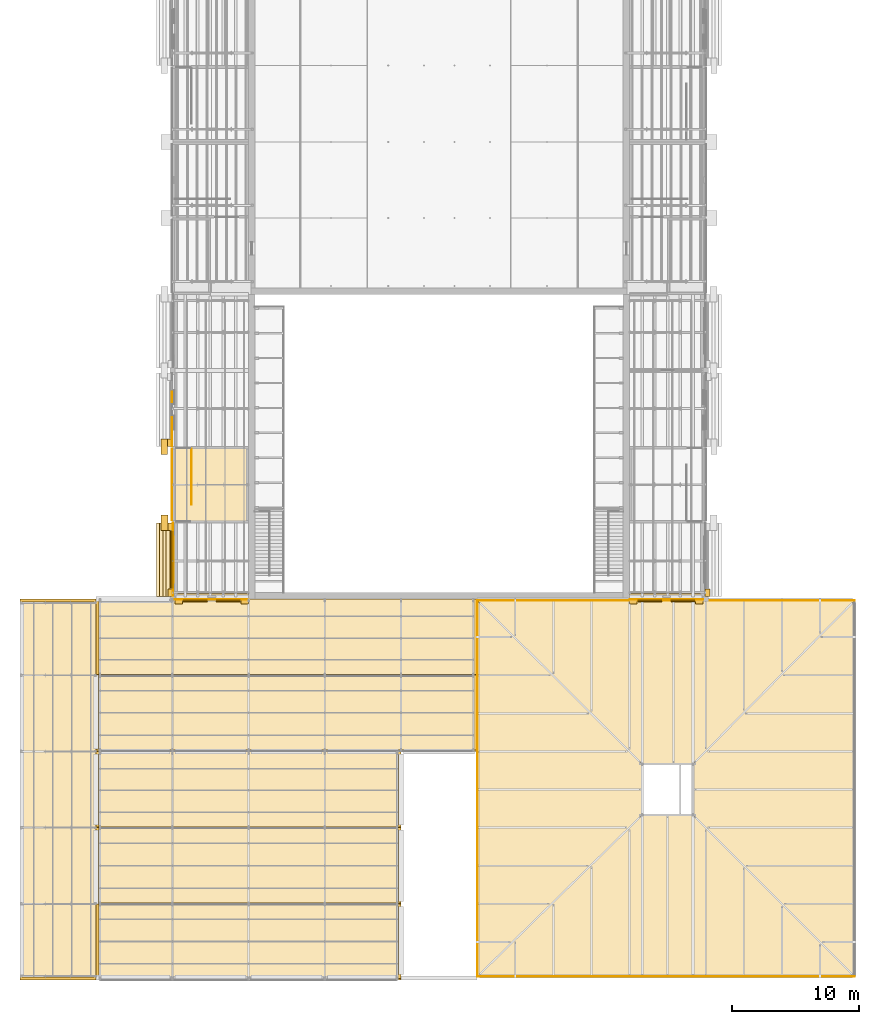
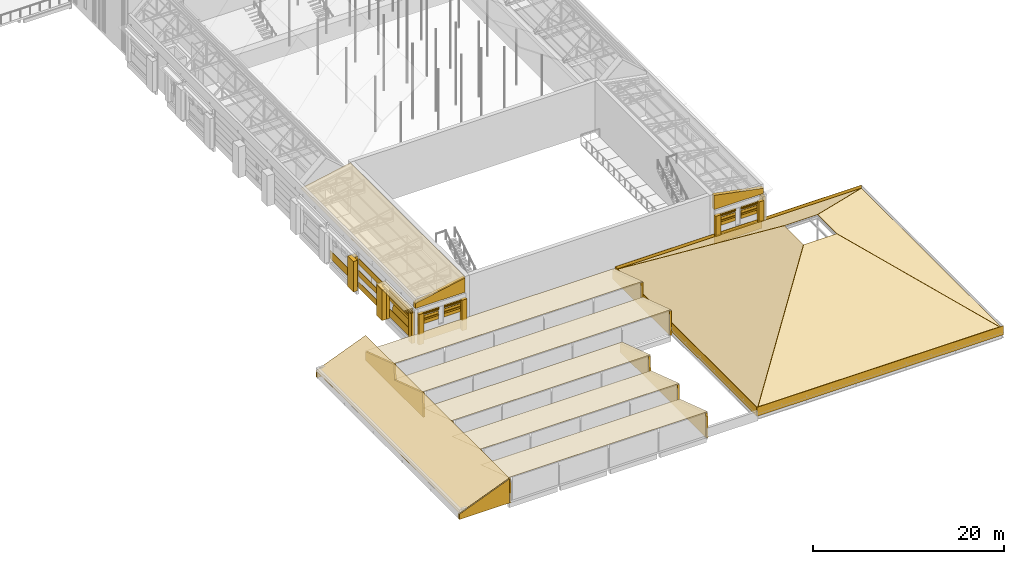
# One storey, part 107 of 118: 70 coverings, 1 railing.
"""IFC4 building model written with IfcOpenShell, lengths in metres."""

from ifc_helpers import new_model, si_unit, direction, frame, origin, origin_2d, place, context, subcontext, project, spatial, polyline, rectangle, circle, outline, extrude, material, layer, layer_set, type_object, element, save


model = new_model("IFC4")

# Units and contexts
model_context = context("Model", 3, precision=1e-05, world=origin(), true_north=direction((0.0, 1.0)))
body_context = subcontext(model_context, "Body", "Model", "MODEL_VIEW")
ifc_project = project(units=[si_unit("LENGTHUNIT", "METRE"), si_unit("AREAUNIT", "SQUARE_METRE"), si_unit("VOLUMEUNIT", "CUBIC_METRE"), si_unit("PLANEANGLEUNIT", "RADIAN"), si_unit("MASSUNIT", "GRAM", prefix="KILO")], contexts=[model_context])

# Site, building, storey
site_placement = place(None, origin())
site = spatial("IfcSite", under=ifc_project, at=site_placement, CompositionType="ELEMENT")
building_placement = place(site_placement, origin())
building = spatial("IfcBuilding", under=site, at=building_placement, Name="Saffron Lane Theatres", CompositionType="ELEMENT")
storey_placement = place(building_placement, frame((0.0, 0.0, 16.5)))
storey = spatial("IfcBuildingStorey", under=building, at=storey_placement, Name="L03", CompositionType="ELEMENT", Elevation=16.5)

# Coverings
ifc_material_1 = material(Name="Masonry pale clay brick", Category="masonry")
ifc_layer_1 = layer(ifc_material_1, 0.050048828125)
ifc_layer_set_1 = layer_set([ifc_layer_1], Name="Masonry pale clay brick")
covering_type_1 = type_object("IfcCoveringType", Name="EX-ARCH PANEL BRICK 50", PredefinedType="CLADDING", material=ifc_layer_set_1)
covering_1_placement = place(storey_placement, frame((12.10009765625, 31.300048828125, 1.199951171875), z_axis=(1.0, 0.0, 0.0), x_axis=(0.0, 0.0, -1.0)))
element("IfcCovering", 1, at=covering_1_placement, inside=storey, type_object=covering_type_1, Name="Blind arch panel 22", PredefinedType="CLADDING", context=body_context, shape_type="SweptSolid", body=[
    extrude(outline(polyline([(0.0, 0.0), (0.89990234375, 0.0), (0.89990234375, 3.599853515625), (0.0, 3.599853515625), (-0.30712890625, 3.578857421875), (-0.608154296875, 3.515869140625), (-0.89794921875, 3.412841796875), (-1.170166015625, 3.27099609375), (-1.421142578125, 3.093017578125), (-1.64501953125, 2.8818359375), (-1.839111328125, 2.64306640625), (-1.9970703125, 2.37890625), (-2.119140625, 2.096923828125), (-2.199951171875, 1.800048828125), (-2.119140625, 1.5029296875), (-1.9970703125, 1.220947265625), (-1.839111328125, 0.95703125), (-1.64501953125, 0.718017578125), (-1.421142578125, 0.5068359375), (-1.170166015625, 0.328857421875), (-0.89794921875, 0.18701171875), (-0.608154296875, 0.083984375), (-0.30712890625, 0.02099609375), (0.0, 0.0)])), origin(), (0.0, 0.0, -1.0), 0.050048828125),
])
ifc_material_2 = material(Name="Masonry sandstone", Category="masonry")
ifc_layer_2 = layer(ifc_material_2, 0.0400390625)
ifc_layer_set_2 = layer_set([ifc_layer_2], Name="Masonry sandstone")
covering_type_2 = type_object("IfcCoveringType", Name="EX-BANDING COURSE SANDSTONE 40", PredefinedType="CLADDING", material=ifc_layer_set_2)
for number, where, z_axis, x_axis, name in (
    (2, (11.97998046875, 39.0, 0.0), (0.0, 0.0, 1.0), (0.0, 1.0, 0.0), "Banding course L03"),
    (3, (11.97998046875, 39.0, 1.5), (0.0, 0.0, 1.0), (0.0, 1.0, 0.0), "Banding course L03"),
    (4, (11.97998046875, 39.0, 3.0), (0.0, 0.0, 1.0), (0.0, 1.0, 0.0), "Banding course L03"),
):
    element("IfcCovering", number, at=place(storey_placement, frame(where, z_axis=z_axis, x_axis=x_axis)), inside=storey, type_object=covering_type_2, Name=name, PredefinedType="CLADDING", context=body_context, shape_type="SweptSolid", body=[
        extrude(rectangle(XDim=5.60009765625, YDim=0.0400390625, at=origin_2d()), origin(), (0.0, 0.0, 1.0), 0.75),
    ])
ifc_material_3 = material(Name="Masonry sandstone", Category="masonry")
ifc_layer_3 = layer(ifc_material_3, 0.179931640625)
ifc_layer_set_3 = layer_set([ifc_layer_3], Name="Masonry sandstone")
covering_type_3 = type_object("IfcCoveringType", Name="EX-EAVES CORNICE SANDSTONE 180", PredefinedType="CLADDING", material=ifc_layer_set_3)
for number, where, z_axis, x_axis, name in (
    (5, (52.199951171875, 29.889892578125, 3.7099609375), (0.0, 0.0, 1.0), (-1.0, 0.0, 0.0), "Eaves cornice L03"),
    (6, (49.60009765625, 29.889892578125, 3.7099609375), (0.0, 0.0, 1.0), (-1.0, 0.0, 0.0), "Eaves cornice L03"),
):
    element("IfcCovering", number, at=place(storey_placement, frame(where, z_axis=z_axis, x_axis=x_axis)), inside=storey, type_object=covering_type_3, Name=name, PredefinedType="CLADDING", context=body_context, shape_type="SweptSolid", body=[
        extrude(rectangle(XDim=1.89990234375, YDim=0.219970703125, at=origin_2d()), origin(), (0.0, 0.0, 1.0), 0.1298828125),
    ])
for number, where, z_axis, x_axis, name in (
    (7, (52.199951171875, 29.925048828125, 3.580078125), (0.0, 0.0, 1.0), (-1.0, 0.0, 0.0), "Eaves cornice L03"),
    (8, (49.60009765625, 29.925048828125, 3.580078125), (0.0, 0.0, 1.0), (-1.0, 0.0, 0.0), "Eaves cornice L03"),
):
    element("IfcCovering", number, at=place(storey_placement, frame(where, z_axis=z_axis, x_axis=x_axis)), inside=storey, type_object=covering_type_3, Name=name, PredefinedType="CLADDING", context=body_context, shape_type="SweptSolid", body=[
        extrude(rectangle(XDim=1.89990234375, YDim=0.14990234375, at=origin_2d()), origin(), (0.0, 0.0, 1.0), 0.1298828125),
    ])
for number, where, z_axis, x_axis, name in (
    (9, (52.199951171875, 29.9599609375, 3.449951171875), (0.0, 0.0, 1.0), (-1.0, 0.0, 0.0), "Eaves cornice L03"),
    (10, (49.60009765625, 29.9599609375, 3.449951171875), (0.0, 0.0, 1.0), (-1.0, 0.0, 0.0), "Eaves cornice L03"),
):
    element("IfcCovering", number, at=place(storey_placement, frame(where, z_axis=z_axis, x_axis=x_axis)), inside=storey, type_object=covering_type_3, Name=name, PredefinedType="CLADDING", context=body_context, shape_type="SweptSolid", body=[
        extrude(rectangle(XDim=1.89990234375, YDim=0.080078125, at=origin_2d()), origin(), (0.0, 0.0, 1.0), 0.1298828125),
    ])
for number, where, z_axis, x_axis, name in (
    (11, (16.39990234375, 29.889892578125, 3.7099609375), (0.0, 0.0, 1.0), (-1.0, 0.0, 0.0), "Eaves cornice L03"),
    (12, (13.800048828125, 29.889892578125, 3.7099609375), (0.0, 0.0, 1.0), (-1.0, 0.0, 0.0), "Eaves cornice L03"),
):
    element("IfcCovering", number, at=place(storey_placement, frame(where, z_axis=z_axis, x_axis=x_axis)), inside=storey, type_object=covering_type_3, Name=name, PredefinedType="CLADDING", context=body_context, shape_type="SweptSolid", body=[
        extrude(rectangle(XDim=1.89990234375, YDim=0.219970703125, at=origin_2d()), origin(), (0.0, 0.0, 1.0), 0.1298828125),
    ])
for number, where, z_axis, x_axis, name in (
    (13, (16.39990234375, 29.925048828125, 3.580078125), (0.0, 0.0, 1.0), (-1.0, 0.0, 0.0), "Eaves cornice L03"),
    (14, (13.800048828125, 29.925048828125, 3.580078125), (0.0, 0.0, 1.0), (-1.0, 0.0, 0.0), "Eaves cornice L03"),
):
    element("IfcCovering", number, at=place(storey_placement, frame(where, z_axis=z_axis, x_axis=x_axis)), inside=storey, type_object=covering_type_3, Name=name, PredefinedType="CLADDING", context=body_context, shape_type="SweptSolid", body=[
        extrude(rectangle(XDim=1.89990234375, YDim=0.14990234375, at=origin_2d()), origin(), (0.0, 0.0, 1.0), 0.1298828125),
    ])
for number, where, z_axis, x_axis, name in (
    (15, (16.39990234375, 29.9599609375, 3.449951171875), (0.0, 0.0, 1.0), (-1.0, 0.0, 0.0), "Eaves cornice L03"),
    (16, (13.800048828125, 29.9599609375, 3.449951171875), (0.0, 0.0, 1.0), (-1.0, 0.0, 0.0), "Eaves cornice L03"),
):
    element("IfcCovering", number, at=place(storey_placement, frame(where, z_axis=z_axis, x_axis=x_axis)), inside=storey, type_object=covering_type_3, Name=name, PredefinedType="CLADDING", context=body_context, shape_type="SweptSolid", body=[
        extrude(rectangle(XDim=1.89990234375, YDim=0.080078125, at=origin_2d()), origin(), (0.0, 0.0, 1.0), 0.1298828125),
    ])
covering_2_placement = place(storey_placement, frame((11.93994140625, 33.10009765625, 3.7099609375), z_axis=(0.0, 0.0, 1.0), x_axis=(0.0, 1.0, 0.0)))
element("IfcCovering", 17, at=covering_2_placement, inside=storey, type_object=covering_type_3, Name="Eaves cornice L03", PredefinedType="CLADDING", context=body_context, shape_type="SweptSolid", body=[
    extrude(rectangle(XDim=4.5, YDim=0.219970703125, at=origin_2d()), origin(), (0.0, 0.0, 1.0), 0.1298828125),
])
covering_3_placement = place(storey_placement, frame((11.97509765625, 33.10009765625, 3.580078125), z_axis=(0.0, 0.0, 1.0), x_axis=(0.0, 1.0, 0.0)))
element("IfcCovering", 18, at=covering_3_placement, inside=storey, type_object=covering_type_3, Name="Eaves cornice L03", PredefinedType="CLADDING", context=body_context, shape_type="SweptSolid", body=[
    extrude(rectangle(XDim=4.5, YDim=0.14990234375, at=origin_2d()), origin(), (0.0, 0.0, 1.0), 0.1298828125),
])
covering_4_placement = place(storey_placement, frame((12.010009765625, 33.10009765625, 3.449951171875), z_axis=(0.0, 0.0, 1.0), x_axis=(0.0, 1.0, 0.0)))
element("IfcCovering", 19, at=covering_4_placement, inside=storey, type_object=covering_type_3, Name="Eaves cornice L03", PredefinedType="CLADDING", context=body_context, shape_type="SweptSolid", body=[
    extrude(rectangle(XDim=4.5, YDim=0.080078125, at=origin_2d()), origin(), (0.0, 0.0, 1.0), 0.1298828125),
])
ifc_material_4 = material(Name="Masonry sandstone", Category="masonry")
ifc_layer_4 = layer(ifc_material_4, 0.1201171875)
ifc_layer_set_4 = layer_set([ifc_layer_4], Name="Masonry sandstone")
covering_type_4 = type_object("IfcCoveringType", Name="EX-EAVES STRING COURSE SANDSTONE 120", PredefinedType="CLADDING", material=ifc_layer_set_4)
for number, where, z_axis, x_axis, name in (
    (20, (52.199951171875, 29.93994140625, 2.75), (0.0, 0.0, 1.0), (-1.0, 0.0, 0.0), "Eaves string course L03"),
    (21, (49.60009765625, 29.93994140625, 2.75), (0.0, 0.0, 1.0), (-1.0, 0.0, 0.0), "Eaves string course L03"),
    (22, (16.39990234375, 29.93994140625, 2.75), (0.0, 0.0, 1.0), (-1.0, 0.0, 0.0), "Eaves string course L03"),
    (23, (13.800048828125, 29.93994140625, 2.75), (0.0, 0.0, 1.0), (-1.0, 0.0, 0.0), "Eaves string course L03"),
):
    element("IfcCovering", number, at=place(storey_placement, frame(where, z_axis=z_axis, x_axis=x_axis)), inside=storey, type_object=covering_type_4, Name=name, PredefinedType="CLADDING", context=body_context, shape_type="SweptSolid", body=[
        extrude(rectangle(XDim=1.89990234375, YDim=0.1201171875, at=origin_2d()), origin(), (0.0, 0.0, 1.0), 0.199951171875),
    ])
covering_5_placement = place(storey_placement, frame((11.989990234375, 33.10009765625, 2.75), z_axis=(0.0, 0.0, 1.0), x_axis=(0.0, 1.0, 0.0)))
element("IfcCovering", 24, at=covering_5_placement, inside=storey, type_object=covering_type_4, Name="Eaves string course L03", PredefinedType="CLADDING", context=body_context, shape_type="SweptSolid", body=[
    extrude(rectangle(XDim=4.5, YDim=0.1201171875, at=origin_2d()), origin(), (0.0, 0.0, 1.0), 0.199951171875),
])
ifc_material_5 = material(Name="Face brick cladding, pale buff", Category="masonry")
ifc_layer_5 = layer(ifc_material_5, 0.0400390625)
ifc_layer_set_5 = layer_set([ifc_layer_5], Name="Face brick cladding, pale buff")
covering_type_5 = type_object("IfcCoveringType", Name="EX-FACE BRICK CLADDING PALE BUFF 40", PredefinedType="CLADDING", material=ifc_layer_set_5)
covering_6_placement = place(storey_placement, frame((50.89990234375, 29.97998046875, 0.14990234375), z_axis=(0.0, 0.0, 1.0), x_axis=(-1.0, 0.0, 0.0)))
element("IfcCovering", 25, at=covering_6_placement, inside=storey, type_object=covering_type_5, Name="Cladding course L03", PredefinedType="CLADDING", context=body_context, shape_type="SweptSolid", body=[
    extrude(rectangle(XDim=5.800048828125, YDim=0.0400390625, at=origin_2d()), origin(), (0.0, 0.0, 1.0), 1.050048828125),
])
for number, where, z_axis, x_axis, name in (
    (26, (52.510009765625, 29.97998046875, 2.25), (0.0, 0.0, 1.0), (-1.0, 0.0, 0.0), "Cladding course L03"),
    (27, (49.2900390625, 29.97998046875, 2.25), (0.0, 0.0, 1.0), (-1.0, 0.0, 0.0), "Cladding course L03"),
):
    element("IfcCovering", number, at=place(storey_placement, frame(where, z_axis=z_axis, x_axis=x_axis)), inside=storey, type_object=covering_type_5, Name=name, PredefinedType="CLADDING", context=body_context, shape_type="SweptSolid", body=[
        extrude(rectangle(XDim=2.580078125, YDim=0.0400390625, at=origin_2d()), origin(), (0.0, 0.0, 1.0), 1.050048828125),
    ])
covering_7_placement = place(storey_placement, frame((15.10009765625, 29.97998046875, 0.14990234375), z_axis=(0.0, 0.0, 1.0), x_axis=(-1.0, 0.0, 0.0)))
element("IfcCovering", 28, at=covering_7_placement, inside=storey, type_object=covering_type_5, Name="Cladding course L03", PredefinedType="CLADDING", context=body_context, shape_type="SweptSolid", body=[
    extrude(rectangle(XDim=5.800048828125, YDim=0.0400390625, at=origin_2d()), origin(), (0.0, 0.0, 1.0), 1.050048828125),
])
for number, where, z_axis, x_axis, name in (
    (29, (16.7099609375, 29.97998046875, 2.25), (0.0, 0.0, 1.0), (-1.0, 0.0, 0.0), "Cladding course L03"),
    (30, (13.489990234375, 29.97998046875, 2.25), (0.0, 0.0, 1.0), (-1.0, 0.0, 0.0), "Cladding course L03"),
):
    element("IfcCovering", number, at=place(storey_placement, frame(where, z_axis=z_axis, x_axis=x_axis)), inside=storey, type_object=covering_type_5, Name=name, PredefinedType="CLADDING", context=body_context, shape_type="SweptSolid", body=[
        extrude(rectangle(XDim=2.580078125, YDim=0.0400390625, at=origin_2d()), origin(), (0.0, 0.0, 1.0), 1.050048828125),
    ])
for number, where, z_axis, x_axis, name in (
    (31, (12.030029296875, 33.10009765625, 0.14990234375), (0.0, 0.0, 1.0), (0.0, 1.0, 0.0), "Cladding course L03"),
    (32, (12.030029296875, 33.10009765625, 2.25), (0.0, 0.0, 1.0), (0.0, 1.0, 0.0), "Cladding course L03"),
    (33, (11.97998046875, 44.89990234375, 0.14990234375), (0.0, 0.0, 1.0), (0.0, 1.0, 0.0), "Cladding course L03"),
):
    element("IfcCovering", number, at=place(storey_placement, frame(where, z_axis=z_axis, x_axis=x_axis)), inside=storey, type_object=covering_type_5, Name=name, PredefinedType="CLADDING", context=body_context, shape_type="SweptSolid", body=[
        extrude(rectangle(XDim=5.800048828125, YDim=0.0400390625, at=origin_2d()), origin(), (0.0, 0.0, 1.0), 1.050048828125),
    ])
covering_8_placement = place(storey_placement, frame((11.97998046875, 42.6650390625, 2.25), z_axis=(0.0, 0.0, 1.0), x_axis=(0.0, 1.0, 0.0)))
element("IfcCovering", 34, at=covering_8_placement, inside=storey, type_object=covering_type_5, Name="Cladding course L03", PredefinedType="CLADDING", context=body_context, shape_type="SweptSolid", body=[
    extrude(rectangle(XDim=1.330078125, YDim=0.0400390625, at=origin_2d()), origin(), (0.0, 0.0, 1.0), 1.050048828125),
])
ifc_material_6 = material(Name="Masonry sandstone", Category="masonry")
ifc_layer_6 = layer(ifc_material_6, 1.199951171875)
ifc_layer_set_6 = layer_set([ifc_layer_6], Name="Masonry sandstone")
covering_type_6 = type_object("IfcCoveringType", Name="EX-FLANK BUTTRESS PIER SANDSTONE 1200", PredefinedType="CLADDING", material=ifc_layer_set_6)
covering_9_placement = place(storey_placement, frame((11.375, 36.0, 0.0), z_axis=(0.0, 0.0, 1.0), x_axis=(0.0, 1.0, 0.0)))
element("IfcCovering", 35, at=covering_9_placement, inside=storey, type_object=covering_type_6, Name="Flank buttress west L03", PredefinedType="CLADDING", context=body_context, shape_type="SweptSolid", body=[
    extrude(rectangle(XDim=1.199951171875, YDim=0.550048828125, at=origin_2d()), origin(), (0.0, 0.0, 1.0), 3.89990234375),
])
covering_10_placement = place(storey_placement, frame((11.35009765625, 42.0, 0.0), z_axis=(0.0, 0.0, 1.0), x_axis=(0.0, 1.0, 0.0)))
element("IfcCovering", 36, at=covering_10_placement, inside=storey, type_object=covering_type_6, Name="Flank buttress west L03", PredefinedType="CLADDING", context=body_context, shape_type="SweptSolid", body=[
    extrude(rectangle(XDim=1.199951171875, YDim=0.5, at=origin_2d()), origin(), (0.0, 0.0, 1.0), 3.89990234375),
])
ifc_material_7 = material(Name="Masonry sandstone", Category="masonry")
ifc_layer_7 = layer(ifc_material_7, 1.050048828125)
ifc_layer_set_7 = layer_set([ifc_layer_7], Name="Masonry sandstone")
covering_type_7 = type_object("IfcCoveringType", Name="EX-FLANK CORNICE COURSE SANDSTONE 400", PredefinedType="CLADDING", material=ifc_layer_set_7)
covering_11_placement = place(storey_placement, frame((11.64990234375, 33.10009765625, 3.900146484375), z_axis=(0.0, 0.0, 1.0), x_axis=(0.0, 1.0, 0.0)))
element("IfcCovering", 37, at=covering_11_placement, inside=storey, type_object=covering_type_7, Name="Flank cornice course west 1", PredefinedType="CLADDING", context=body_context, shape_type="SweptSolid", body=[
    extrude(rectangle(XDim=5.800048828125, YDim=0.300048828125, at=origin_2d()), origin(), (0.0, 0.0, 1.0), 0.14990234375),
])
covering_12_placement = place(storey_placement, frame((11.52490234375, 33.10009765625, 4.050048828125), z_axis=(0.0, 0.0, 1.0), x_axis=(0.0, 1.0, 0.0)))
element("IfcCovering", 38, at=covering_12_placement, inside=storey, type_object=covering_type_7, Name="Flank cornice course west 1", PredefinedType="CLADDING", context=body_context, shape_type="SweptSolid", body=[
    extrude(rectangle(XDim=5.800048828125, YDim=0.550048828125, at=origin_2d()), origin(), (0.0, 0.0, 1.0), 0.14990234375),
])
covering_13_placement = place(storey_placement, frame((11.39990234375, 33.10009765625, 4.199951171875), z_axis=(0.0, 0.0, 1.0), x_axis=(0.0, 1.0, 0.0)))
element("IfcCovering", 39, at=covering_13_placement, inside=storey, type_object=covering_type_7, Name="Flank cornice course west 1", PredefinedType="CLADDING", context=body_context, shape_type="SweptSolid", body=[
    extrude(rectangle(XDim=5.800048828125, YDim=0.800048828125, at=origin_2d()), origin(), (0.0, 0.0, 1.0), 0.14990234375),
])
covering_14_placement = place(storey_placement, frame((11.27490234375, 33.10009765625, 4.35009765625), z_axis=(0.0, 0.0, 1.0), x_axis=(0.0, 1.0, 0.0)))
element("IfcCovering", 40, at=covering_14_placement, inside=storey, type_object=covering_type_7, Name="Flank cornice course west 1", PredefinedType="CLADDING", context=body_context, shape_type="SweptSolid", body=[
    extrude(rectangle(XDim=5.800048828125, YDim=1.050048828125, at=origin_2d()), origin(), (0.0, 0.0, 1.0), 0.14990234375),
])
ifc_material_8 = material(Name="Masonry sandstone", Category="masonry")
ifc_layer_8 = layer(ifc_material_8, 0.39990234375)
ifc_layer_set_8 = layer_set([ifc_layer_8], Name="Masonry sandstone")
covering_type_8 = type_object("IfcCoveringType", Name="EX-PILASTER PIER SANDSTONE 400", PredefinedType="CLADDING", material=ifc_layer_set_8)
for number, where, z_axis, x_axis, name in (
    (41, (54.14990234375, 30.5, 0.0), (0.0, 0.0, 1.0), (0.0, -1.0, 0.0), "Pilaster pier L03"),
    (42, (53.5, 29.800048828125, 0.0), (0.0, 0.0, 1.0), (-1.0, 0.0, 0.0), "Pilaster pier L03"),
    (43, (48.300048828125, 29.800048828125, 0.0), (0.0, 0.0, 1.0), (-1.0, 0.0, 0.0), "Pilaster pier L03"),
    (44, (17.699951171875, 29.800048828125, 0.0), (0.0, 0.0, 1.0), (-1.0, 0.0, 0.0), "Pilaster pier L03"),
    (45, (12.5, 29.800048828125, 0.0), (0.0, 0.0, 1.0), (-1.0, 0.0, 0.0), "Pilaster pier L03"),
    (46, (11.85009765625, 30.5, 0.0), (0.0, 0.0, 1.0), (0.0, 1.0, 0.0), "Pilaster pier L03"),
    (47, (11.85009765625, 35.699951171875, 0.0), (0.0, 0.0, 1.0), (0.0, 1.0, 0.0), "Pilaster pier L03"),
    (48, (11.800048828125, 42.300048828125, 0.0), (0.0, 0.0, 1.0), (0.0, 1.0, 0.0), "Pilaster pier L03"),
):
    element("IfcCovering", number, at=place(storey_placement, frame(where, z_axis=z_axis, x_axis=x_axis)), inside=storey, type_object=covering_type_8, Name=name, PredefinedType="CLADDING", context=body_context, shape_type="SweptSolid", body=[
        extrude(rectangle(XDim=0.60009765625, YDim=0.39990234375, at=origin_2d()), origin(), (0.0, 0.0, 1.0), 3.89990234375),
    ])
ifc_material_9 = material(Name="Zinc standing seam roofing", Category="metal")
ifc_layer_9 = layer(ifc_material_9, 0.0400390625)
ifc_layer_set_9 = layer_set([ifc_layer_9], Name="Zinc standing seam roofing")
covering_type_9 = type_object("IfcCoveringType", Name="ST-EAVES FASCIA", PredefinedType="CLADDING", material=ifc_layer_set_9)
covering_15_placement = place(storey_placement, frame((0.0, 0.0, 0.37939453125)))
element("IfcCovering", 49, at=covering_15_placement, inside=storey, type_object=covering_type_9, Name="SF1", PredefinedType="CLADDING", context=body_context, shape_type="SweptSolid", body=[
    extrude(outline(polyline([(36.010009765625, 0.260009765625), (65.739990234375, 0.260009765625), (65.739990234375, 0.300048828125), (36.010009765625, 0.300048828125), (36.010009765625, 0.260009765625)])), origin(), (0.0, 0.0, 1.0), 1.14990234375),
])
covering_16_placement = place(storey_placement, frame((0.0, 0.0, 0.37939453125)))
element("IfcCovering", 50, at=covering_16_placement, inside=storey, type_object=covering_type_9, Name="SF2", PredefinedType="CLADDING", context=body_context, shape_type="SweptSolid", body=[
    extrude(outline(polyline([(36.010009765625, 29.85009765625), (65.739990234375, 29.85009765625), (65.739990234375, 29.889892578125), (36.010009765625, 29.889892578125), (36.010009765625, 29.85009765625)])), origin(), (0.0, 0.0, 1.0), 1.14990234375),
])
covering_17_placement = place(storey_placement, frame((0.0, 0.0, 0.37939453125)))
element("IfcCovering", 51, at=covering_17_placement, inside=storey, type_object=covering_type_9, Name="SF3", PredefinedType="CLADDING", context=body_context, shape_type="SweptSolid", body=[
    extrude(outline(polyline([(36.010009765625, 0.300048828125), (36.050048828125, 0.300048828125), (36.050048828125, 29.85009765625), (36.010009765625, 29.85009765625), (36.010009765625, 0.300048828125)])), origin(), (0.0, 0.0, 1.0), 1.14990234375),
])
ifc_material_10 = material(Name="Zinc standing seam roofing", Category="metal")
ifc_layer_10 = layer(ifc_material_10, 0.199951171875)
ifc_layer_set_10 = layer_set([ifc_layer_10], Name="Zinc standing seam roofing")
covering_type_10 = type_object("IfcCoveringType", Name="ST-GABLE END CLADDING", PredefinedType="CLADDING", material=ifc_layer_set_10)
covering_18_placement = place(storey_placement, frame((6.0, 0.125, 3.065185546875), z_axis=(-1.0, 0.0, 0.0), x_axis=(0.0, 0.949630058348, -0.313373183732)))
element("IfcCovering", 52, at=covering_18_placement, inside=storey, type_object=covering_type_10, Name="GBG1", PredefinedType="CLADDING", context=body_context, shape_type="SweptSolid", body=[
    extrude(outline(polyline([(0.0, 0.0), (6.186619671898823, -2.220446049250313e-16), (5.638428471439174, -1.8606532784116723), (11.89082662047924, -1.8607642672139955), (11.336208821525076, -3.7408923808066255), (17.58860697056514, -3.7410033696089484), (17.935184246519288, -2.690753329493017), (0.8418431962615827, 2.949963977691842), (0.0, 0.0)])), origin(), (0.0, 0.0, -1.0), 0.237548828125),
])
covering_19_placement = place(storey_placement, frame((30.0, 0.0, 0.0), z_axis=(1.0, 0.0, 0.0), x_axis=(0.0, 1.0, 0.0)))
element("IfcCovering", 53, at=covering_19_placement, inside=storey, type_object=covering_type_10, Name="GBG2", PredefinedType="CLADDING", context=body_context, shape_type="SweptSolid", body=[
    extrude(outline(polyline([(0.0, 0.0), (18.0, 0.0), (18.0, 1.10595703125), (12.0625, 3.065185546875), (12.0, 1.10595703125), (6.0625, 3.065185546875), (6.0, 1.12646484375), (0.125, 3.065185546875), (0.0, 0.0)])), origin(), (0.0, 0.0, -1.0), 0.237548828125),
])
covering_20_placement = place(storey_placement, frame((6.0, 18.125, 3.065185546875), z_axis=(-1.0, 0.0, 0.0), x_axis=(0.0, 0.949630058348, -0.313373183732)))
element("IfcCovering", 54, at=covering_20_placement, inside=storey, type_object=covering_type_10, Name="GSG1", PredefinedType="CLADDING", context=body_context, shape_type="SweptSolid", body=[
    extrude(outline(polyline([(0.0, 0.0), (6.186619671898823, -2.220446049250313e-16), (5.638428471439174, -1.8606532784116723), (11.89082662047924, -1.8607642672139955), (12.237403896433387, -0.8105142270980639), (0.8418431962615827, 2.949963977691842), (0.0, 0.0)])), origin(), (0.0, 0.0, -1.0), 0.237548828125),
])
covering_21_placement = place(storey_placement, frame((36.0, 18.0, 0.0), z_axis=(1.0, 0.0, 0.0), x_axis=(0.0, 1.0, 0.0)))
element("IfcCovering", 55, at=covering_21_placement, inside=storey, type_object=covering_type_10, Name="GSG2", PredefinedType="CLADDING", context=body_context, shape_type="SweptSolid", body=[
    extrude(outline(polyline([(0.0, 0.0), (12.0, 0.0), (12.0, 1.10595703125), (6.0625, 3.065185546875), (6.0, 1.12646484375), (0.125, 3.065185546875), (0.0, 0.0)])), origin(), (0.0, 0.0, -1.0), 0.237548828125),
])
covering_22_placement = place(storey_placement, frame((0.0, 0.0, 0.0), z_axis=(0.0, -1.0, 0.0), x_axis=(1.0, 0.0, 0.0)))
element("IfcCovering", 56, at=covering_22_placement, inside=storey, type_object=covering_type_10, Name="GWG1", PredefinedType="CLADDING", context=body_context, shape_type="SweptSolid", body=[
    extrude(outline(polyline([(0.0, 0.0), (6.0, 0.0), (6.0, 3.07080078125), (0.0, 0.685791015625), (0.0, 0.0)])), origin(), (0.0, 0.0, -1.0), 0.22509765625),
])
covering_23_placement = place(storey_placement, frame((0.0, 30.0, 0.685791015625), z_axis=(0.0, 1.0, 0.0), x_axis=(0.92927511139, 0.0, 0.369388369269)))
element("IfcCovering", 57, at=covering_23_placement, inside=storey, type_object=covering_type_10, Name="GWG2", PredefinedType="CLADDING", context=body_context, shape_type="SweptSolid", body=[
    extrude(outline(polyline([(0.0, 0.0), (6.456645536354509, 0.0), (5.322327443417155, 2.853618738051839), (-0.2533232249213729, 0.6372885224350149), (0.0, 0.0)])), origin(), (0.0, 0.0, -1.0), 0.22509765625),
])
covering_24_placement = place(storey_placement, frame((12.0, 30.0, 4.5), z_axis=(0.0, -1.0, 0.0), x_axis=(1.0, 0.0, 0.0)))
element("IfcCovering", 58, at=covering_24_placement, inside=storey, type_object=covering_type_10, Name="SB3-G1", PredefinedType="CLADDING", context=body_context, shape_type="SweptSolid", body=[
    extrude(outline(polyline([(0.0, 0.0), (6.0, 0.0), (6.0, 1.82763671875), (0.0, 0.66259765625), (0.0, 0.0)])), origin(), (0.0, 0.0, -1.0), 0.425048828125),
])
covering_25_placement = place(storey_placement, frame((54.0, 30.0, 5.16259765625), z_axis=(0.0, -1.0, 0.0), x_axis=(-0.981665249086, 0.0, 0.190613060247)))
element("IfcCovering", 59, at=covering_25_placement, inside=storey, type_object=covering_type_10, Name="SB4-G1", PredefinedType="CLADDING", context=body_context, shape_type="SweptSolid", body=[
    extrude(outline(polyline([(0.0, 0.0), (6.112063155527017, 0.0), (5.763691727545678, 1.7941274547505004), (-0.12629976697052556, 0.6504490932664785), (0.0, 0.0)])), origin(), (0.0, 0.0, -1.0), 0.425048828125),
])
ifc_material_11 = material(Name="Zinc standing seam roofing", Category="metal")
ifc_layer_11 = layer(ifc_material_11, 0.02001953125)
ifc_layer_set_11 = layer_set([ifc_layer_11], Name="Zinc standing seam roofing")
covering_type_11 = type_object("IfcCoveringType", Name="ST-ZINC ROOFING", PredefinedType="ROOFING", material=ifc_layer_set_11)
covering_26_placement = place(storey_placement, frame((6.0, 0.125, 3.191650390625), z_axis=(0.0, 0.313373183732, 0.949630058348), x_axis=(1.0, 0.0, 0.0)))
element("IfcCovering", 60, at=covering_26_placement, inside=storey, type_object=covering_type_11, Name="GBZ1", PredefinedType="ROOFING", context=body_context, shape_type="SweptSolid", body=[
    extrude(outline(polyline([(0.0, 0.0), (24.0, 0.0), (24.0, 6.186619671898823), (0.0, 6.186619671898823), (0.0, 0.0)])), origin(), (0.0, 0.0, -1.0), 0.02001953125),
])
for number, where, z_axis, x_axis, name in (
    (61, (6.0, 6.0625, 3.191650390625), (0.0, 0.313391539133, 0.94962400096), (1.0, 0.0, 0.0), "GBZ2"),
    (62, (6.0, 12.0625, 3.191650390625), (0.0, 0.313391539133, 0.94962400096), (1.0, 0.0, 0.0), "GBZ3"),
):
    element("IfcCovering", number, at=place(storey_placement, frame(where, z_axis=z_axis, x_axis=x_axis)), inside=storey, type_object=covering_type_11, Name=name, PredefinedType="ROOFING", context=body_context, shape_type="SweptSolid", body=[
        extrude(outline(polyline([(0.0, 0.0), (24.0, 0.0), (24.0, 6.252474657333002), (0.0, 6.252474657333002), (0.0, 0.0)])), origin(), (0.0, 0.0, -1.0), 0.02001953125),
    ])
covering_27_placement = place(storey_placement, frame((6.0, 18.125, 3.191650390625), z_axis=(0.0, 0.313373183732, 0.949630058348), x_axis=(1.0, 0.0, 0.0)))
element("IfcCovering", 63, at=covering_27_placement, inside=storey, type_object=covering_type_11, Name="GSZ1", PredefinedType="ROOFING", context=body_context, shape_type="SweptSolid", body=[
    extrude(outline(polyline([(0.0, 0.0), (30.0, 0.0), (30.0, 6.186619671898823), (0.0, 6.186619671898823), (0.0, 0.0)])), origin(), (0.0, 0.0, -1.0), 0.02001953125),
])
covering_28_placement = place(storey_placement, frame((6.0, 24.0625, 3.191650390625), z_axis=(0.0, 0.313391539133, 0.94962400096), x_axis=(1.0, 0.0, 0.0)))
element("IfcCovering", 64, at=covering_28_placement, inside=storey, type_object=covering_type_11, Name="GSZ2", PredefinedType="ROOFING", context=body_context, shape_type="SweptSolid", body=[
    extrude(outline(polyline([(0.0, 0.0), (30.0, 0.0), (30.0, 6.252474657333002), (0.0, 6.252474657333002), (0.0, 0.0)])), origin(), (0.0, 0.0, -1.0), 0.02001953125),
])
covering_29_placement = place(storey_placement, frame((0.0, 0.0, 0.81494140625), z_axis=(-0.369388369269, 0.0, 0.92927511139), x_axis=(0.92927511139, 0.0, 0.369388369269)))
element("IfcCovering", 65, at=covering_29_placement, inside=storey, type_object=covering_type_11, Name="GWZ1", PredefinedType="ROOFING", context=body_context, shape_type="SweptSolid", body=[
    extrude(outline(polyline([(0.0, 0.0), (6.456645536354509, 0.0), (6.456645536354509, 30.0), (0.0, 30.0), (0.0, 0.0)])), origin(), (0.0, 0.0, -1.0), 0.02001953125),
])
covering_30_placement = place(storey_placement, frame((12.0, 30.0, 5.284912109375), z_axis=(-0.190613060247, 0.0, 0.981665249086), x_axis=(0.981665249086, 0.0, 0.190613060247)))
element("IfcCovering", 66, at=covering_30_placement, inside=storey, type_object=covering_type_11, Name="SB3-Z1", PredefinedType="ROOFING", context=body_context, shape_type="SweptSolid", body=[
    extrude(outline(polyline([(0.0, 0.0), (6.112063155527017, 0.0), (6.112063155527017, 24.0), (0.0, 24.0), (0.0, 0.0)])), origin(), (0.0, 0.0, -1.0), 0.02001953125),
])
covering_31_placement = place(storey_placement, frame((36.050048828125, 0.28857421875, 1.145751953125), z_axis=(0.0, -0.572623274152, 0.819818629881), x_axis=(1.0, 0.0, 0.0)))
element("IfcCovering", 67, at=covering_31_placement, inside=storey, type_object=covering_type_11, Name="SZ1", PredefinedType="ROOFING", context=body_context, shape_type="SweptSolid", body=[
    extrude(outline(polyline([(0.0, 0.0), (29.64990234375, 0.0), (16.949951171875, 15.491171716504423), (12.949951171875, 15.491171716504423), (0.0, 0.0)])), origin(), (0.0, 0.0, -1.0), 0.02001953125),
])
covering_32_placement = place(storey_placement, frame((36.050048828125, 29.861572265625, 1.145751953125), z_axis=(0.0, 0.568100465887, 0.822959209596), x_axis=(1.0, 0.0, 0.0)))
element("IfcCovering", 68, at=covering_32_placement, inside=storey, type_object=covering_type_11, Name="SZ2", PredefinedType="ROOFING", context=body_context, shape_type="SweptSolid", body=[
    extrude(outline(polyline([(0.0, 0.0), (29.64990234375, 0.0), (16.949951171875, -15.614501309916342), (12.949951171875, -15.614501309916342), (0.0, 0.0)])), origin(), (0.0, 0.0, -1.0), 0.02001953125),
])
covering_33_placement = place(storey_placement, frame((36.038818359375, 0.300048828125, 1.145751953125), z_axis=(-0.565133237452, 0.0, 0.824999650865), x_axis=(0.0, 1.0, 0.0)))
element("IfcCovering", 69, at=covering_33_placement, inside=storey, type_object=covering_type_11, Name="SZ3", PredefinedType="ROOFING", context=body_context, shape_type="SweptSolid", body=[
    extrude(outline(polyline([(0.0, 0.0), (29.550048828125, 0.0), (16.699951171875, -15.696917154208824), (12.699951171875, -15.696917154208824), (0.0, 0.0)])), origin(), (0.0, 0.0, -1.0), 0.02001953125),
])
covering_34_placement = place(storey_placement, frame((65.711181640625, 0.300048828125, 1.145751953125), z_axis=(0.572633866335, 0.0, 0.819811231398), x_axis=(0.0, 1.0, 0.0)))
element("IfcCovering", 70, at=covering_34_placement, inside=storey, type_object=covering_type_11, Name="SZ4", PredefinedType="ROOFING", context=body_context, shape_type="SweptSolid", body=[
    extrude(outline(polyline([(0.0, 0.0), (29.550048828125, 0.0), (16.699951171875, 15.49131151840146), (12.699951171875, 15.49131151840146), (0.0, 0.0)])), origin(), (0.0, 0.0, -1.0), 0.02001953125),
])

# Railing
ifc_material_12 = material(Name="Steel Grade 350", Category="steel")
railing_type = type_object("IfcRailingType", Name="VC-GUARD 1100", PredefinedType="GUARDRAIL", material=ifc_material_12)
railing_placement = place(storey_placement, frame((13.5, 41.800048828125, 0.0)))
element("IfcRailing", 71, at=railing_placement, inside=storey, type_object=railing_type, Name="Stage West Stair guard L03", PredefinedType="GUARDRAIL", context=body_context, shape_type="SweptSolid", body=[
    extrude(circle(Radius=0.02392578125, at=origin_2d()), frame((0.0, 0.0, 1.076171875), z_axis=(0.0, -1.0, 0.0), x_axis=(1.0, 0.0, 0.0)), (0.0, 0.0, 1.0), 4.35009765625),
    extrude(circle(Radius=0.02099609375, at=origin_2d()), origin(), (0.0, 0.0, 1.0), 1.052001953125),
    extrude(circle(Radius=0.02099609375, at=origin_2d()), frame((0.0, -1.08740234375, 0.0)), (0.0, 0.0, 1.0), 1.052001953125),
    extrude(circle(Radius=0.02099609375, at=origin_2d()), frame((0.0, -2.175048828125, 0.0)), (0.0, 0.0, 1.0), 1.052001953125),
    extrude(circle(Radius=0.02099609375, at=origin_2d()), frame((0.0, -3.2626953125, 0.0)), (0.0, 0.0, 1.0), 1.052001953125),
    extrude(circle(Radius=0.02099609375, at=origin_2d()), frame((0.0, -4.35009765625, 0.0)), (0.0, 0.0, 1.0), 1.052001953125),
])

save(model, "model.ifc")
